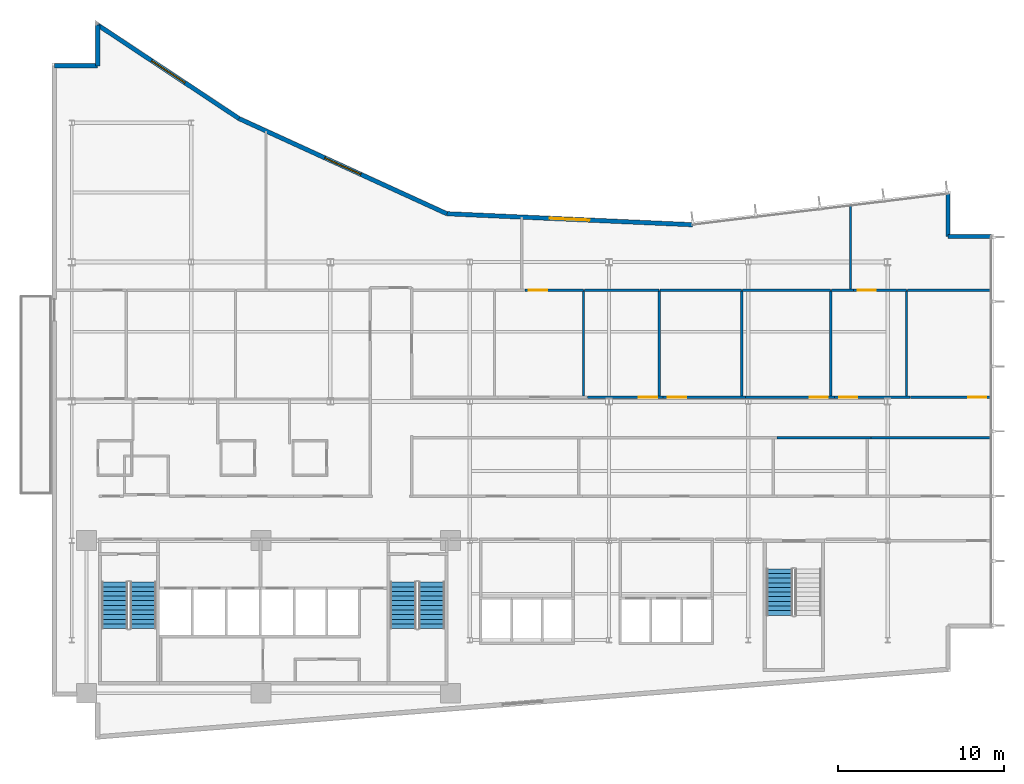
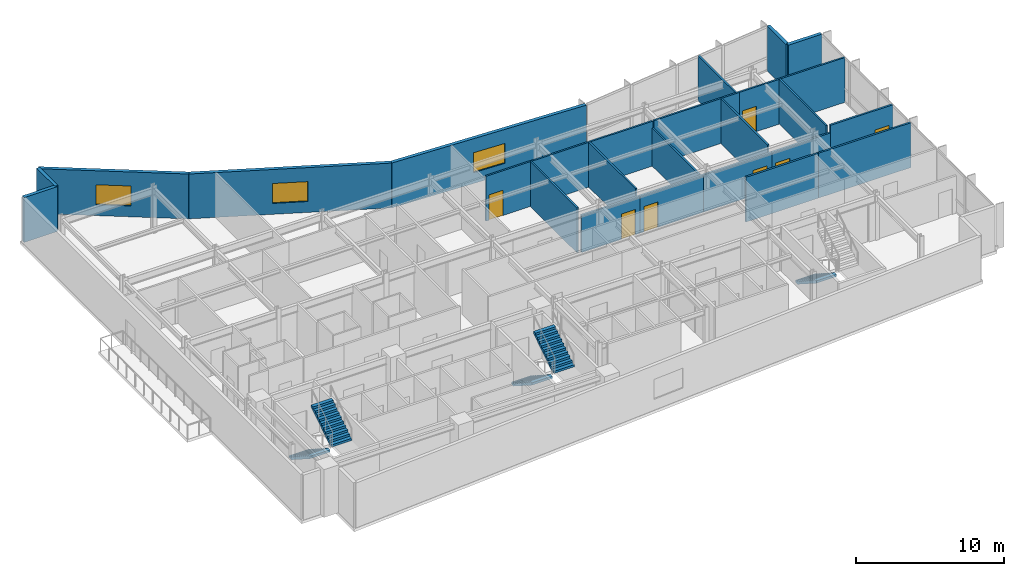
# One storey, part 13 of 18: 27 walls, 7 doors, 5 stair flights, 3 windows, 10 openings, 3 elements without a shape of their own.
"""IFC4 building model written with IfcOpenShell, lengths in metres."""

from ifc_helpers import new_model, si_unit, direction, frame, frame_2d, origin, place, context, subcontext, project, spatial, polyline, rectangle, outline, extrude, material, layer, layer_set, type_object, element, fill, aggregate, save


model = new_model("IFC4")

# Units and contexts
model_context = context("Model", 3, precision=1e-05, world=origin(), true_north=direction((0.0, 1.0)))
body_context = subcontext(model_context, "Body", "Model", "MODEL_VIEW")
ifc_project = project(units=[si_unit("LENGTHUNIT", "METRE"), si_unit("AREAUNIT", "SQUARE_METRE"), si_unit("VOLUMEUNIT", "CUBIC_METRE"), si_unit("PLANEANGLEUNIT", "RADIAN"), si_unit("MASSUNIT", "GRAM", prefix="KILO")], contexts=[model_context])

# Site, building, storey
site_placement = place(None, origin())
site = spatial("IfcSite", under=ifc_project, at=site_placement, CompositionType="ELEMENT")
building_placement = place(site_placement, origin())
building = spatial("IfcBuilding", under=site, at=building_placement, Name="Varnakote Quay Hospital", CompositionType="ELEMENT")
storey_placement = place(building_placement, frame((0.0, 0.0, 107.300048828125)))
storey = spatial("IfcBuildingStorey", under=building, at=storey_placement, Name="L26", CompositionType="ELEMENT", Elevation=107.300048828125)

# Walls
ifc_material_1 = material(Name="Precast concrete N50 (f'c 50 MPa)", Category="concrete")
ifc_layer_1 = layer(ifc_material_1, 0.260009765625)
ifc_layer_set_1 = layer_set([ifc_layer_1], Name="Precast concrete N50 (f'c 50 MPa)")
wall_type_1 = type_object("IfcWallType", Name="WL-EXT-BRICK-260", PredefinedType="STANDARD", material=ifc_layer_set_1)
wall_1_placement = place(storey_placement, frame((56.639892578125, 30.340087890625, 0.0), z_axis=(0.0, 0.0, 1.0), x_axis=(-1.0, 0.0, 0.0)))
element("IfcWall", 1, at=wall_1_placement, inside=storey, type_object=wall_type_1, Name="L26 Brick-Faced Precast Exterior Wall", PredefinedType="STANDARD", context=body_context, shape_type="SweptSolid", body=[
    extrude(rectangle(XDim=2.599853515625, YDim=0.260009765625, at=frame_2d((1.2998046875, 0.0))), origin(), (0.0, 0.0, 1.0), 3.7099609375),
])
wall_2_placement = place(storey_placement, frame((54.0400390625, 30.340087890625, 0.0), z_axis=(0.0, 0.0, 1.0), x_axis=(0.0, 1.0, 0.0)))
element("IfcWall", 2, at=wall_2_placement, inside=storey, type_object=wall_type_1, Name="L26 Brick-Faced Precast Exterior Wall", PredefinedType="STANDARD", context=body_context, shape_type="SweptSolid", body=[
    extrude(rectangle(XDim=2.579345703125, YDim=0.260009765625, at=frame_2d((1.28955078125, 0.0))), origin(), (0.0, 0.0, 1.0), 3.7099609375),
])

# Wall, opening, window
wall_3_placement = place(storey_placement, frame((38.630126953125, 31.051513671875, 0.0), z_axis=(0.0, 0.0, 1.0), x_axis=(-0.998996592956, 0.044786239663, 0.0)))
wall_3 = element("IfcWall", 3, at=wall_3_placement, inside=storey, type_object=wall_type_1, Name="L26 Brick-Faced Precast Exterior Wall", PredefinedType="STANDARD", context=body_context, shape_type="SweptSolid", body=[
    extrude(rectangle(XDim=14.827392578125, YDim=0.260009765625, at=frame_2d((7.41357421875, 0.0))), origin(), (0.0, 0.0, 1.0), 3.7099609375),
])
opening_1_placement = place(wall_3_placement, frame((6.213623046875, 0.0, 0.89990234375)))
opening_1 = element("IfcOpeningElement", 4, at=opening_1_placement, cuts=wall_3, Name="Opening WN-0115", PredefinedType="OPENING", context=body_context, shape_type="SweptSolid", body=[
    extrude(rectangle(XDim=2.39990234375, YDim=1.64990234375, at=frame_2d((1.199951171875, 0.824951171875))), frame((0.0, 0.139892578125, 0.0), z_axis=(0.0, -1.0, 0.0), x_axis=(1.0, 0.0, 0.0)), (0.0, 0.0, 1.0), 0.280029296875),
])
ifc_material_2 = material(Name="Double-glazed low-E solar glass", Category="glass")
window_type = type_object("IfcWindowType", Name="WIN-CLIN-2400x1650", PartitioningType="SINGLE_PANEL", PredefinedType="WINDOW", material=ifc_material_2)
window_1_placement = place(opening_1_placement, origin())
window_1 = element("IfcWindow", 5, at=window_1_placement, inside=storey, type_object=window_type, Name="L26 Solar-Control Clinical Window", OverallHeight=1.64990234375, OverallWidth=2.39990234375, PartitioningType="SINGLE_PANEL", PredefinedType="WINDOW", context=body_context, shape_type="SweptSolid", body=[
    extrude(rectangle(XDim=2.39990234375, YDim=1.64990234375, at=frame_2d((1.199951171875, 0.824951171875))), frame((0.0, 0.030029296875, 0.0), z_axis=(0.0, -1.0, 0.0), x_axis=(1.0, 0.0, 0.0)), (0.0, 0.0, 1.0), 0.06005859375),
])
fill(opening_1, window_1)

wall_4_placement = place(storey_placement, frame((23.817626953125, 31.715576171875, 0.0), z_axis=(0.0, 0.0, 1.0), x_axis=(-0.909209527513, 0.416338846471, 0.0)))
wall_4 = element("IfcWall", 6, at=wall_4_placement, inside=storey, type_object=wall_type_1, Name="L26 Brick-Faced Precast Exterior Wall", PredefinedType="STANDARD", context=body_context, shape_type="SweptSolid", body=[
    extrude(rectangle(XDim=13.787353515625, YDim=0.260009765625, at=frame_2d((6.8935546875, 0.0))), origin(), (0.0, 0.0, 1.0), 3.7099609375),
])
opening_2_placement = place(wall_4_placement, frame((5.693603515625, 0.0, 0.89990234375)))
opening_2 = element("IfcOpeningElement", 7, at=opening_2_placement, cuts=wall_4, Name="Opening WN-0116", PredefinedType="OPENING", context=body_context, shape_type="SweptSolid", body=[
    extrude(rectangle(XDim=2.39990234375, YDim=1.64990234375, at=frame_2d((1.199951171875, 0.824951171875))), frame((0.0, 0.139892578125, 0.0), z_axis=(0.0, -1.0, 0.0), x_axis=(1.0, 0.0, 0.0)), (0.0, 0.0, 1.0), 0.280029296875),
])
window_2_placement = place(opening_2_placement, origin())
window_2 = element("IfcWindow", 8, at=window_2_placement, inside=storey, type_object=window_type, Name="L26 Solar-Control Clinical Window", OverallHeight=1.64990234375, OverallWidth=2.39990234375, PartitioningType="SINGLE_PANEL", PredefinedType="WINDOW", context=body_context, shape_type="SweptSolid", body=[
    extrude(rectangle(XDim=2.39990234375, YDim=1.64990234375, at=frame_2d((1.199951171875, 0.824951171875))), frame((0.0, 0.030029296875, 0.0), z_axis=(0.0, -1.0, 0.0), x_axis=(1.0, 0.0, 0.0)), (0.0, 0.0, 1.0), 0.06005859375),
])
fill(opening_2, window_2)

wall_5_placement = place(storey_placement, frame((11.281982421875, 37.455810546875, 0.0), z_axis=(0.0, 0.0, 1.0), x_axis=(-0.833630474253, 0.552322580017, 0.0)))
wall_5 = element("IfcWall", 9, at=wall_5_placement, inside=storey, type_object=wall_type_1, Name="L26 Brick-Faced Precast Exterior Wall", PredefinedType="STANDARD", context=body_context, shape_type="SweptSolid", body=[
    extrude(rectangle(XDim=10.22265625, YDim=0.260009765625, at=frame_2d((5.111328125, 0.0))), origin(), (0.0, 0.0, 1.0), 3.7099609375),
])
opening_3_placement = place(wall_5_placement, frame((3.911376953125, 0.0, 0.89990234375)))
opening_3 = element("IfcOpeningElement", 10, at=opening_3_placement, cuts=wall_5, Name="Opening WN-0117", PredefinedType="OPENING", context=body_context, shape_type="SweptSolid", body=[
    extrude(rectangle(XDim=2.39990234375, YDim=1.64990234375, at=frame_2d((1.199951171875, 0.824951171875))), frame((0.0, 0.139892578125, 0.0), z_axis=(0.0, -1.0, 0.0), x_axis=(1.0, 0.0, 0.0)), (0.0, 0.0, 1.0), 0.280029296875),
])
window_3_placement = place(opening_3_placement, origin())
window_3 = element("IfcWindow", 11, at=window_3_placement, inside=storey, type_object=window_type, Name="L26 Solar-Control Clinical Window", OverallHeight=1.64990234375, OverallWidth=2.39990234375, PartitioningType="SINGLE_PANEL", PredefinedType="WINDOW", context=body_context, shape_type="SweptSolid", body=[
    extrude(rectangle(XDim=2.39990234375, YDim=1.64990234375, at=frame_2d((1.199951171875, 0.824951171875))), frame((0.0, 0.030029296875, 0.0), z_axis=(0.0, -1.0, 0.0), x_axis=(1.0, 0.0, 0.0)), (0.0, 0.0, 1.0), 0.06005859375),
])
fill(opening_3, window_3)

# Walls
wall_6_placement = place(storey_placement, frame((2.760009765625, 43.10205078125, 0.0), z_axis=(0.0, 0.0, 1.0), x_axis=(0.0, -1.0, 0.0)))
element("IfcWall", 12, at=wall_6_placement, inside=storey, type_object=wall_type_1, Name="L26 Brick-Faced Precast Exterior Wall", PredefinedType="STANDARD", context=body_context, shape_type="SweptSolid", body=[
    extrude(rectangle(XDim=2.462158203125, YDim=0.260009765625, at=frame_2d((1.23095703125, 0.0))), origin(), (0.0, 0.0, 1.0), 3.7099609375),
])
wall_7_placement = place(storey_placement, frame((2.760009765625, 40.639892578125, 0.0), z_axis=(0.0, 0.0, 1.0), x_axis=(-1.0, 0.0, 0.0)))
element("IfcWall", 13, at=wall_7_placement, inside=storey, type_object=wall_type_1, Name="L26 Brick-Faced Precast Exterior Wall", PredefinedType="STANDARD", context=body_context, shape_type="SweptSolid", body=[
    extrude(rectangle(XDim=2.60009765625, YDim=0.260009765625, at=frame_2d((1.300048828125, 0.0))), origin(), (0.0, 0.0, 1.0), 3.7099609375),
])
ifc_material_3 = material(Name="Smoke-proof clinical partition", Category="gypsum")
ifc_layer_2 = layer(ifc_material_3, 0.135009765625)
ifc_layer_set_2 = layer_set([ifc_layer_2], Name="Smoke-proof clinical partition")
wall_type_2 = type_object("IfcWallType", Name="WL-SMOKE-135", PredefinedType="PARTITIONING", material=ifc_layer_set_2)
wall_8_placement = place(storey_placement, frame((32.06005859375, 20.715087890625, 0.0), z_axis=(0.0, 0.0, 1.0), x_axis=(0.0, 1.0, 0.0)))
element("IfcWall", 14, at=wall_8_placement, inside=storey, type_object=wall_type_2, Name="L26 Clinical Interior Partition", PredefinedType="PARTITIONING", context=body_context, shape_type="SweptSolid", body=[
    extrude(rectangle(XDim=6.385009765625, YDim=0.135009765625, at=frame_2d((3.1923828125, 0.0))), origin(), (0.0, 0.0, 1.0), 3.7099609375),
])

# Wall, opening, door
wall_9_placement = place(storey_placement, frame((32.06005859375, 27.10009765625, 0.0), z_axis=(0.0, 0.0, 1.0), x_axis=(-1.0, 0.0, 0.0)))
wall_9 = element("IfcWall", 15, at=wall_9_placement, inside=storey, type_object=wall_type_2, Name="L26 Clinical Interior Partition", PredefinedType="PARTITIONING", context=body_context, shape_type="SweptSolid", body=[
    extrude(rectangle(XDim=3.53955078125, YDim=0.135009765625, at=frame_2d((1.769775390625, 0.0))), origin(), (0.0, 0.0, 1.0), 3.7099609375),
])
opening_4_placement = place(wall_9_placement, frame((2.1884765625, 0.0, 0.0)))
opening_4 = element("IfcOpeningElement", 16, at=opening_4_placement, cuts=wall_9, Name="Opening D-L26-MD17", PredefinedType="OPENING", context=body_context, shape_type="SweptSolid", body=[
    extrude(rectangle(XDim=1.10009765625, YDim=2.10009765625, at=frame_2d((0.550048828125, 1.050048828125))), frame((0.0, 0.077392578125, 0.0), z_axis=(0.0, -1.0, 0.0), x_axis=(1.0, 0.0, 0.0)), (0.0, 0.0, 1.0), 0.155029296875),
])
ifc_material_4 = material(Name="Acoustic timber clinical consult door", Category="wood")
door_type = type_object("IfcDoorType", Name="DR-CLIN-FD30S-1100x2100", OperationType="NOTDEFINED", PredefinedType="DOOR", material=ifc_material_4)
door_1_placement = place(opening_4_placement, origin())
door_1 = element("IfcDoor", 17, at=door_1_placement, inside=storey, type_object=door_type, Name="L26 Paediatric Clinical Teaching Room Door", OperationType="SINGLE_SWING_RIGHT", OverallHeight=2.10009765625, OverallWidth=1.10009765625, PredefinedType="DOOR", context=body_context, shape_type="SweptSolid", body=[
    extrude(rectangle(XDim=1.10009765625, YDim=2.10009765625, at=frame_2d((0.550048828125, 1.050048828125))), frame((0.0, 0.02490234375, 0.0), z_axis=(0.0, -1.0, 0.0), x_axis=(1.0, 0.0, 0.0)), (0.0, 0.0, 1.0), 0.050048828125),
])
fill(opening_4, door_1)

# Walls
wall_10_placement = place(storey_placement, frame((36.6298828125, 20.715087890625, 0.0), z_axis=(0.0, 0.0, 1.0), x_axis=(0.0, 1.0, 0.0)))
element("IfcWall", 18, at=wall_10_placement, inside=storey, type_object=wall_type_2, Name="L26 Clinical Interior Partition", PredefinedType="PARTITIONING", context=body_context, shape_type="SweptSolid", body=[
    extrude(rectangle(XDim=6.385009765625, YDim=0.135009765625, at=frame_2d((3.1923828125, 0.0))), origin(), (0.0, 0.0, 1.0), 3.7099609375),
])
wall_11_placement = place(storey_placement, frame((36.6298828125, 27.10009765625, 0.0), z_axis=(0.0, 0.0, 1.0), x_axis=(-1.0, 0.0, 0.0)))
element("IfcWall", 19, at=wall_11_placement, inside=storey, type_object=wall_type_2, Name="L26 Clinical Interior Partition", PredefinedType="PARTITIONING", context=body_context, shape_type="SweptSolid", body=[
    extrude(rectangle(XDim=4.512451171875, YDim=0.135009765625, at=frame_2d((2.25634765625, 0.0))), origin(), (0.0, 0.0, 1.0), 3.7099609375),
])
wall_12_placement = place(storey_placement, frame((41.60009765625, 20.715087890625, 0.0), z_axis=(0.0, 0.0, 1.0), x_axis=(0.0, 1.0, 0.0)))
element("IfcWall", 20, at=wall_12_placement, inside=storey, type_object=wall_type_2, Name="L26 Clinical Interior Partition", PredefinedType="PARTITIONING", context=body_context, shape_type="SweptSolid", body=[
    extrude(rectangle(XDim=6.385009765625, YDim=0.135009765625, at=frame_2d((3.1923828125, 0.0))), origin(), (0.0, 0.0, 1.0), 3.15185546875),
])
wall_13_placement = place(storey_placement, frame((41.60009765625, 27.10009765625, 0.0), z_axis=(0.0, 0.0, 1.0), x_axis=(-1.0, 0.0, 0.0)))
element("IfcWall", 21, at=wall_13_placement, inside=storey, type_object=wall_type_2, Name="L26 Clinical Interior Partition", PredefinedType="PARTITIONING", context=body_context, shape_type="SweptSolid", body=[
    extrude(rectangle(XDim=4.91259765625, YDim=0.135009765625, at=frame_2d((2.456298828125, 0.0))), origin(), (0.0, 0.0, 1.0), 3.7099609375),
])
wall_14_placement = place(storey_placement, frame((46.969970703125, 20.715087890625, 0.0), z_axis=(0.0, 0.0, 1.0), x_axis=(0.0, 1.0, 0.0)))
element("IfcWall", 22, at=wall_14_placement, inside=storey, type_object=wall_type_2, Name="L26 Clinical Interior Partition", PredefinedType="PARTITIONING", context=body_context, shape_type="SweptSolid", body=[
    extrude(rectangle(XDim=6.385009765625, YDim=0.135009765625, at=frame_2d((3.1923828125, 0.0))), origin(), (0.0, 0.0, 1.0), 3.7099609375),
])
wall_15_placement = place(storey_placement, frame((46.969970703125, 27.10009765625, 0.0), z_axis=(0.0, 0.0, 1.0), x_axis=(-1.0, 0.0, 0.0)))
element("IfcWall", 23, at=wall_15_placement, inside=storey, type_object=wall_type_2, Name="L26 Clinical Interior Partition", PredefinedType="PARTITIONING", context=body_context, shape_type="SweptSolid", body=[
    extrude(rectangle(XDim=5.3125, YDim=0.135009765625, at=frame_2d((2.65625, 0.0))), origin(), (0.0, 0.0, 1.0), 3.7099609375),
])
wall_16_placement = place(storey_placement, frame((51.5400390625, 20.715087890625, 0.0), z_axis=(0.0, 0.0, 1.0), x_axis=(0.0, 1.0, 0.0)))
element("IfcWall", 24, at=wall_16_placement, inside=storey, type_object=wall_type_2, Name="L26 Clinical Interior Partition", PredefinedType="PARTITIONING", context=body_context, shape_type="SweptSolid", body=[
    extrude(rectangle(XDim=6.385009765625, YDim=0.135009765625, at=frame_2d((3.1923828125, 0.0))), origin(), (0.0, 0.0, 1.0), 3.7099609375),
])
wall_17_placement = place(storey_placement, frame((48.348388671875, 27.10009765625, 0.0), z_axis=(0.0, 0.0, 1.0), x_axis=(-1.0, 0.0, 0.0)))
element("IfcWall", 25, at=wall_17_placement, inside=storey, type_object=wall_type_2, Name="L26 Clinical Interior Partition", PredefinedType="PARTITIONING", context=body_context, shape_type="SweptSolid", body=[
    extrude(rectangle(XDim=1.32080078125, YDim=0.135009765625, at=frame_2d((0.660400390625, 0.0))), origin(), (0.0, 0.0, 1.0), 3.7099609375),
])

# Wall, opening, door
wall_18_placement = place(storey_placement, frame((51.5400390625, 27.10009765625, 0.0), z_axis=(0.0, 0.0, 1.0), x_axis=(-1.0, 0.0, 0.0)))
wall_18 = element("IfcWall", 26, at=wall_18_placement, inside=storey, type_object=wall_type_2, Name="L26 Clinical Interior Partition", PredefinedType="PARTITIONING", context=body_context, shape_type="SweptSolid", body=[
    extrude(rectangle(XDim=3.189453125, YDim=0.135009765625, at=frame_2d((1.5947265625, 0.0))), origin(), (0.0, 0.0, 1.0), 3.7099609375),
])
opening_5_placement = place(wall_18_placement, frame((1.847412109375, 0.0, 0.0)))
opening_5 = element("IfcOpeningElement", 27, at=opening_5_placement, cuts=wall_18, Name="Opening D-L26-MD18", PredefinedType="OPENING", context=body_context, shape_type="SweptSolid", body=[
    extrude(rectangle(XDim=1.10009765625, YDim=2.10009765625, at=frame_2d((0.550048828125, 1.050048828125))), frame((0.0, 0.077392578125, 0.0), z_axis=(0.0, -1.0, 0.0), x_axis=(1.0, 0.0, 0.0)), (0.0, 0.0, 1.0), 0.155029296875),
])
door_2_placement = place(opening_5_placement, origin())
door_2 = element("IfcDoor", 28, at=door_2_placement, inside=storey, type_object=door_type, Name="L26 Maternity Assessment Treatment Suite Door", OperationType="SINGLE_SWING_LEFT", OverallHeight=2.10009765625, OverallWidth=1.10009765625, PredefinedType="DOOR", context=body_context, shape_type="SweptSolid", body=[
    extrude(rectangle(XDim=1.10009765625, YDim=2.10009765625, at=frame_2d((0.550048828125, 1.050048828125))), frame((0.0, 0.02490234375, 0.0), z_axis=(0.0, -1.0, 0.0), x_axis=(1.0, 0.0, 0.0)), (0.0, 0.0, 1.0), 0.050048828125),
])
fill(opening_5, door_2)

# Walls
wall_19_placement = place(storey_placement, frame((56.639892578125, 27.10009765625, 0.0), z_axis=(0.0, 0.0, 1.0), x_axis=(-1.0, 0.0, 0.0)))
element("IfcWall", 29, at=wall_19_placement, inside=storey, type_object=wall_type_2, Name="L26 Clinical Interior Partition", PredefinedType="PARTITIONING", context=body_context, shape_type="SweptSolid", body=[
    extrude(rectangle(XDim=5.04248046875, YDim=0.135009765625, at=frame_2d((2.521240234375, 0.0))), origin(), (0.0, 0.0, 1.0), 3.7099609375),
])
wall_20_placement = place(storey_placement, frame((48.169921875, 27.157470703125, 0.0), z_axis=(0.0, 0.0, 1.0), x_axis=(0.0, 1.0, 0.0)))
element("IfcWall", 30, at=wall_20_placement, inside=storey, type_object=wall_type_2, Name="L26 Clinical Interior Partition", PredefinedType="PARTITIONING", context=body_context, shape_type="SweptSolid", body=[
    extrude(rectangle(XDim=5.050537109375, YDim=0.135009765625, at=frame_2d((2.525390625, 0.0))), origin(), (0.0, 0.0, 1.0), 3.7099609375),
])
ifc_material_5 = material(Name="Fire-rated clinical gypsum partition", Category="gypsum")
ifc_layer_3 = layer(ifc_material_5, 0.14990234375)
ifc_layer_set_3 = layer_set([ifc_layer_3], Name="Fire-rated clinical gypsum partition")
wall_type_3 = type_object("IfcWallType", Name="WL-WARD-150", PredefinedType="PARTITIONING", material=ifc_layer_set_3)
wall_21_placement = place(storey_placement, frame((43.72802734375, 18.199951171875, 0.0), z_axis=(0.0, 0.0, 1.0), x_axis=(1.0, 0.0, 0.0)))
element("IfcWall", 31, at=wall_21_placement, inside=storey, type_object=wall_type_3, Name="L26 Clinical Interior Partition", PredefinedType="PARTITIONING", context=body_context, shape_type="SweptSolid", body=[
    extrude(rectangle(XDim=5.66796875, YDim=0.14990234375, at=frame_2d((2.833984375, 0.0))), origin(), (0.0, 0.0, 1.0), 3.7099609375),
])
wall_22_placement = place(storey_placement, frame((49.39794921875, 18.199951171875, 0.0), z_axis=(0.0, 0.0, 1.0), x_axis=(1.0, 0.0, 0.0)))
element("IfcWall", 32, at=wall_22_placement, inside=storey, type_object=wall_type_3, Name="L26 Clinical Interior Partition", PredefinedType="PARTITIONING", context=body_context, shape_type="SweptSolid", body=[
    extrude(rectangle(XDim=7.241943359375, YDim=0.14990234375, at=frame_2d((3.62109375, 0.0))), origin(), (0.0, 0.0, 1.0), 3.7099609375),
])

# Wall, opening, door
wall_23_placement = place(storey_placement, frame((36.85595703125, 20.64990234375, 0.0), z_axis=(0.0, 0.0, 1.0), x_axis=(-1.0, 0.0, 0.0)))
wall_23 = element("IfcWall", 33, at=wall_23_placement, inside=storey, type_object=wall_type_3, Name="L26 Clinical Interior Partition", PredefinedType="PARTITIONING", context=body_context, shape_type="SweptSolid", body=[
    extrude(rectangle(XDim=4.56787109375, YDim=0.14990234375, at=frame_2d((2.283935546875, 0.0))), origin(), (0.0, 0.0, 1.0), 3.0830078125),
])
opening_6_placement = place(wall_23_placement, frame((0.353515625, 0.0, 0.0)))
opening_6 = element("IfcOpeningElement", 34, at=opening_6_placement, cuts=wall_23, Name="Opening D-L26-MD10", PredefinedType="OPENING", context=body_context, shape_type="SweptSolid", body=[
    extrude(rectangle(XDim=1.10009765625, YDim=2.10009765625, at=frame_2d((0.550048828125, 1.050048828125))), frame((0.0, 0.0849609375, 0.0), z_axis=(0.0, -1.0, 0.0), x_axis=(1.0, 0.0, 0.0)), (0.0, 0.0, 1.0), 0.169921875),
])
door_3_placement = place(opening_6_placement, origin())
door_3 = element("IfcDoor", 35, at=door_3_placement, inside=storey, type_object=door_type, Name="L26 Maternity Assessment Treatment Suite Door", OperationType="SINGLE_SWING_RIGHT", OverallHeight=2.10009765625, OverallWidth=1.10009765625, PredefinedType="DOOR", context=body_context, shape_type="SweptSolid", body=[
    extrude(rectangle(XDim=1.10009765625, YDim=2.10009765625, at=frame_2d((0.550048828125, 1.050048828125))), frame((0.0, 0.02490234375, 0.0), z_axis=(0.0, -1.0, 0.0), x_axis=(1.0, 0.0, 0.0)), (0.0, 0.0, 1.0), 0.050048828125),
])
fill(opening_6, door_3)

wall_24_placement = place(storey_placement, frame((41.825927734375, 20.64990234375, 0.0), z_axis=(0.0, 0.0, 1.0), x_axis=(-1.0, 0.0, 0.0)))
wall_24 = element("IfcWall", 36, at=wall_24_placement, inside=storey, type_object=wall_type_3, Name="L26 Clinical Interior Partition", PredefinedType="PARTITIONING", context=body_context, shape_type="SweptSolid", body=[
    extrude(rectangle(XDim=4.968017578125, YDim=0.14990234375, at=frame_2d((2.48388671875, 0.0))), origin(), (0.0, 0.0, 1.0), 3.0830078125),
])
opening_7_placement = place(wall_24_placement, frame((3.581298828125, 0.0, 0.0)))
opening_7 = element("IfcOpeningElement", 37, at=opening_7_placement, cuts=wall_24, Name="Opening D-L26-MD11", PredefinedType="OPENING", context=body_context, shape_type="SweptSolid", body=[
    extrude(rectangle(XDim=1.10009765625, YDim=2.10009765625, at=frame_2d((0.550048828125, 1.050048828125))), frame((0.0, 0.0849609375, 0.0), z_axis=(0.0, -1.0, 0.0), x_axis=(1.0, 0.0, 0.0)), (0.0, 0.0, 1.0), 0.169921875),
])
door_4_placement = place(opening_7_placement, origin())
door_4 = element("IfcDoor", 38, at=door_4_placement, inside=storey, type_object=door_type, Name="L26 Perinatal Clinical Consultation Suite Door", OperationType="SINGLE_SWING_LEFT", OverallHeight=2.10009765625, OverallWidth=1.10009765625, PredefinedType="DOOR", context=body_context, shape_type="SweptSolid", body=[
    extrude(rectangle(XDim=1.10009765625, YDim=2.10009765625, at=frame_2d((0.550048828125, 1.050048828125))), frame((0.0, 0.02490234375, 0.0), z_axis=(0.0, -1.0, 0.0), x_axis=(1.0, 0.0, 0.0)), (0.0, 0.0, 1.0), 0.050048828125),
])
fill(opening_7, door_4)

wall_25_placement = place(storey_placement, frame((47.196044921875, 20.64990234375, 0.0), z_axis=(0.0, 0.0, 1.0), x_axis=(-1.0, 0.0, 0.0)))
wall_25 = element("IfcWall", 39, at=wall_25_placement, inside=storey, type_object=wall_type_3, Name="L26 Clinical Interior Partition", PredefinedType="PARTITIONING", context=body_context, shape_type="SweptSolid", body=[
    extrude(rectangle(XDim=5.3681640625, YDim=0.14990234375, at=frame_2d((2.68408203125, 0.0))), origin(), (0.0, 0.0, 1.0), 3.0830078125),
])
opening_8_placement = place(wall_25_placement, frame((0.393310546875, 0.0, 0.0)))
opening_8 = element("IfcOpeningElement", 40, at=opening_8_placement, cuts=wall_25, Name="Opening D-L26-MD12", PredefinedType="OPENING", context=body_context, shape_type="SweptSolid", body=[
    extrude(rectangle(XDim=1.10009765625, YDim=2.10009765625, at=frame_2d((0.550048828125, 1.050048828125))), frame((0.0, 0.0849609375, 0.0), z_axis=(0.0, -1.0, 0.0), x_axis=(1.0, 0.0, 0.0)), (0.0, 0.0, 1.0), 0.169921875),
])
door_5_placement = place(opening_8_placement, origin())
door_5 = element("IfcDoor", 41, at=door_5_placement, inside=storey, type_object=door_type, Name="L26 Midwifery Coordination Office Door", OperationType="SINGLE_SWING_RIGHT", OverallHeight=2.10009765625, OverallWidth=1.10009765625, PredefinedType="DOOR", context=body_context, shape_type="SweptSolid", body=[
    extrude(rectangle(XDim=1.10009765625, YDim=2.10009765625, at=frame_2d((0.550048828125, 1.050048828125))), frame((0.0, 0.02490234375, 0.0), z_axis=(0.0, -1.0, 0.0), x_axis=(1.0, 0.0, 0.0)), (0.0, 0.0, 1.0), 0.050048828125),
])
fill(opening_8, door_5)

wall_26_placement = place(storey_placement, frame((51.76611328125, 20.64990234375, 0.0), z_axis=(0.0, 0.0, 1.0), x_axis=(-1.0, 0.0, 0.0)))
wall_26 = element("IfcWall", 42, at=wall_26_placement, inside=storey, type_object=wall_type_3, Name="L26 Clinical Interior Partition", PredefinedType="PARTITIONING", context=body_context, shape_type="SweptSolid", body=[
    extrude(rectangle(XDim=4.568115234375, YDim=0.14990234375, at=frame_2d((2.2841796875, 0.0))), origin(), (0.0, 0.0, 1.0), 3.0830078125),
])
opening_9_placement = place(wall_26_placement, frame((3.19140625, 0.0, 0.0)))
opening_9 = element("IfcOpeningElement", 43, at=opening_9_placement, cuts=wall_26, Name="Opening D-L26-MD13", PredefinedType="OPENING", context=body_context, shape_type="SweptSolid", body=[
    extrude(rectangle(XDim=1.10009765625, YDim=2.10009765625, at=frame_2d((0.550048828125, 1.050048828125))), frame((0.0, 0.0849609375, 0.0), z_axis=(0.0, -1.0, 0.0), x_axis=(1.0, 0.0, 0.0)), (0.0, 0.0, 1.0), 0.169921875),
])
door_6_placement = place(opening_9_placement, origin())
door_6 = element("IfcDoor", 44, at=door_6_placement, inside=storey, type_object=door_type, Name="L26 Paediatric Clinical Teaching Room Door", OperationType="SINGLE_SWING_LEFT", OverallHeight=2.10009765625, OverallWidth=1.10009765625, PredefinedType="DOOR", context=body_context, shape_type="SweptSolid", body=[
    extrude(rectangle(XDim=1.10009765625, YDim=2.10009765625, at=frame_2d((0.550048828125, 1.050048828125))), frame((0.0, 0.02490234375, 0.0), z_axis=(0.0, -1.0, 0.0), x_axis=(1.0, 0.0, 0.0)), (0.0, 0.0, 1.0), 0.050048828125),
])
fill(opening_9, door_6)

wall_27_placement = place(storey_placement, frame((56.639892578125, 20.64990234375, 0.0), z_axis=(0.0, 0.0, 1.0), x_axis=(-1.0, 0.0, 0.0)))
wall_27 = element("IfcWall", 45, at=wall_27_placement, inside=storey, type_object=wall_type_3, Name="L26 Clinical Interior Partition", PredefinedType="PARTITIONING", context=body_context, shape_type="SweptSolid", body=[
    extrude(rectangle(XDim=4.871826171875, YDim=0.14990234375, at=frame_2d((2.43603515625, 0.0))), origin(), (0.0, 0.0, 1.0), 3.7099609375),
])
opening_10_placement = place(wall_27_placement, frame((0.2841796875, 0.0, 0.0)))
opening_10 = element("IfcOpeningElement", 46, at=opening_10_placement, cuts=wall_27, Name="Opening D-L26-MD14", PredefinedType="OPENING", context=body_context, shape_type="SweptSolid", body=[
    extrude(rectangle(XDim=1.10009765625, YDim=2.10009765625, at=frame_2d((0.550048828125, 1.050048828125))), frame((0.0, 0.0849609375, 0.0), z_axis=(0.0, -1.0, 0.0), x_axis=(1.0, 0.0, 0.0)), (0.0, 0.0, 1.0), 0.169921875),
])
door_7_placement = place(opening_10_placement, origin())
door_7 = element("IfcDoor", 47, at=door_7_placement, inside=storey, type_object=door_type, Name="L26 Maternity Assessment Treatment Suite Door", OperationType="SINGLE_SWING_RIGHT", OverallHeight=2.10009765625, OverallWidth=1.10009765625, PredefinedType="DOOR", context=body_context, shape_type="SweptSolid", body=[
    extrude(rectangle(XDim=1.10009765625, YDim=2.10009765625, at=frame_2d((0.550048828125, 1.050048828125))), frame((0.0, 0.02490234375, 0.0), z_axis=(0.0, -1.0, 0.0), x_axis=(1.0, 0.0, 0.0)), (0.0, 0.0, 1.0), 0.050048828125),
])
fill(opening_10, door_7)

# Stair, stair flights
ifc_material_6 = material(Name="Concrete N40 (f'c 40 MPa)", Category="concrete")
stair_type = type_object("IfcStairType", Name="STR-CORE-1580", PredefinedType="HALF_TURN_STAIR", material=ifc_material_6)
stair_1_placement = place(storey_placement, origin())
stair_1 = element("IfcStair", 48, at=stair_1_placement, inside=storey, type_object=stair_type, Name="L26 Fire-Isolated Exit Stair ST-01", PredefinedType="HALF_TURN_STAIR")
ifc_material_7 = material(Name="Concrete N40 (f'c 40 MPa)", Category="concrete")
ifc_layer_4 = layer(ifc_material_7, 0.159912109375)
ifc_layer_set_4 = layer_set([ifc_layer_4], Name="Concrete N40 (f'c 40 MPa)")
stair_flight_type = type_object("IfcStairFlightType", Name="FLT-CORE-1580", PredefinedType="STRAIGHT", material=ifc_layer_set_4)
stair_flight_1_placement = place(storey_placement, frame((3.7900390625, 9.5, 0.0), z_axis=(0.0, 0.0, 1.0), x_axis=(0.0, -1.0, 0.0)))
stair_flight_1 = element("IfcStairFlight", 49, at=stair_flight_1_placement, type_object=stair_flight_type, Name="ST-01 flight 1", NumberOfRisers=11, NumberOfTreads=10, PredefinedType="STRAIGHT", RiserHeight=0.179545455, TreadLength=0.28, context=body_context, shape_type="SweptSolid", body=[
    extrude(outline(polyline([(0.0, 0.0), (0.0, 0.179443359375), (0.280029296875, 0.179443359375), (0.280029296875, 0.359130859375), (0.56005859375, 0.359130859375), (0.56005859375, 0.53857421875), (0.840087890625, 0.53857421875), (0.840087890625, 0.71826171875), (1.1201171875, 0.71826171875), (1.1201171875, 0.897705078125), (1.39990234375, 0.897705078125), (1.39990234375, 1.077392578125), (1.679931640625, 1.077392578125), (1.679931640625, 1.2568359375), (1.9599609375, 1.2568359375), (1.9599609375, 1.436279296875), (2.239990234375, 1.436279296875), (2.239990234375, 1.615966796875), (2.52001953125, 1.615966796875), (2.52001953125, 1.79541015625), (2.800048828125, 1.79541015625), (2.800048828125, 1.97509765625), (2.800048828125, 1.60546875), (0.296142578125, 0.0), (0.0, 0.0)])), frame((0.0, 0.7900390625, 0.0), z_axis=(0.0, -1.0, 0.0), x_axis=(1.0, 0.0, 0.0)), (0.0, 0.0, 1.0), 1.580078125),
])
stair_flight_2_placement = place(storey_placement, frame((5.510009765625, 6.699951171875, 1.974853515625), z_axis=(0.0, 0.0, 1.0), x_axis=(0.0, 1.0, 0.0)))
stair_flight_2 = element("IfcStairFlight", 50, at=stair_flight_2_placement, type_object=stair_flight_type, Name="ST-01 flight 2", NumberOfRisers=11, NumberOfTreads=10, PredefinedType="STRAIGHT", RiserHeight=0.179545455, TreadLength=0.28, context=body_context, shape_type="SweptSolid", body=[
    extrude(outline(polyline([(0.0, 0.0), (0.0, 0.179443359375), (0.280029296875, 0.179443359375), (0.280029296875, 0.359130859375), (0.56005859375, 0.359130859375), (0.56005859375, 0.53857421875), (0.840087890625, 0.53857421875), (0.840087890625, 0.71826171875), (1.1201171875, 0.71826171875), (1.1201171875, 0.897705078125), (1.39990234375, 0.897705078125), (1.39990234375, 1.077392578125), (1.679931640625, 1.077392578125), (1.679931640625, 1.2568359375), (1.9599609375, 1.2568359375), (1.9599609375, 1.436279296875), (2.239990234375, 1.436279296875), (2.239990234375, 1.615966796875), (2.52001953125, 1.615966796875), (2.52001953125, 1.79541015625), (2.800048828125, 1.79541015625), (2.800048828125, 1.97509765625), (2.800048828125, 1.60546875), (0.296142578125, 0.0), (0.0, 0.0)])), frame((0.0, 0.7900390625, 0.0), z_axis=(0.0, -1.0, 0.0), x_axis=(1.0, 0.0, 0.0)), (0.0, 0.0, 1.0), 1.580078125),
])
aggregate(stair_1, [stair_flight_1, stair_flight_2])

stair_2_placement = place(storey_placement, origin())
stair_2 = element("IfcStair", 51, at=stair_2_placement, inside=storey, type_object=stair_type, Name="L26 Fire-Isolated Exit Stair ST-02", PredefinedType="HALF_TURN_STAIR")
stair_flight_3_placement = place(storey_placement, frame((21.18994140625, 9.5, 0.0), z_axis=(0.0, 0.0, 1.0), x_axis=(0.0, -1.0, 0.0)))
stair_flight_3 = element("IfcStairFlight", 52, at=stair_flight_3_placement, type_object=stair_flight_type, Name="ST-02 flight 1", NumberOfRisers=11, NumberOfTreads=10, PredefinedType="STRAIGHT", RiserHeight=0.179545455, TreadLength=0.28, context=body_context, shape_type="SweptSolid", body=[
    extrude(outline(polyline([(0.0, 0.0), (0.0, 0.179443359375), (0.280029296875, 0.179443359375), (0.280029296875, 0.359130859375), (0.56005859375, 0.359130859375), (0.56005859375, 0.53857421875), (0.840087890625, 0.53857421875), (0.840087890625, 0.71826171875), (1.1201171875, 0.71826171875), (1.1201171875, 0.897705078125), (1.39990234375, 0.897705078125), (1.39990234375, 1.077392578125), (1.679931640625, 1.077392578125), (1.679931640625, 1.2568359375), (1.9599609375, 1.2568359375), (1.9599609375, 1.436279296875), (2.239990234375, 1.436279296875), (2.239990234375, 1.615966796875), (2.52001953125, 1.615966796875), (2.52001953125, 1.79541015625), (2.800048828125, 1.79541015625), (2.800048828125, 1.97509765625), (2.800048828125, 1.60546875), (0.296142578125, 0.0), (0.0, 0.0)])), frame((0.0, 0.7900390625, 0.0), z_axis=(0.0, -1.0, 0.0), x_axis=(1.0, 0.0, 0.0)), (0.0, 0.0, 1.0), 1.580078125),
])
stair_flight_4_placement = place(storey_placement, frame((22.909912109375, 6.699951171875, 1.974853515625), z_axis=(0.0, 0.0, 1.0), x_axis=(0.0, 1.0, 0.0)))
stair_flight_4 = element("IfcStairFlight", 53, at=stair_flight_4_placement, type_object=stair_flight_type, Name="ST-02 flight 2", NumberOfRisers=11, NumberOfTreads=10, PredefinedType="STRAIGHT", RiserHeight=0.179545455, TreadLength=0.28, context=body_context, shape_type="SweptSolid", body=[
    extrude(outline(polyline([(0.0, 0.0), (0.0, 0.179443359375), (0.280029296875, 0.179443359375), (0.280029296875, 0.359130859375), (0.56005859375, 0.359130859375), (0.56005859375, 0.53857421875), (0.840087890625, 0.53857421875), (0.840087890625, 0.71826171875), (1.1201171875, 0.71826171875), (1.1201171875, 0.897705078125), (1.39990234375, 0.897705078125), (1.39990234375, 1.077392578125), (1.679931640625, 1.077392578125), (1.679931640625, 1.2568359375), (1.9599609375, 1.2568359375), (1.9599609375, 1.436279296875), (2.239990234375, 1.436279296875), (2.239990234375, 1.615966796875), (2.52001953125, 1.615966796875), (2.52001953125, 1.79541015625), (2.800048828125, 1.79541015625), (2.800048828125, 1.97509765625), (2.800048828125, 1.60546875), (0.296142578125, 0.0), (0.0, 0.0)])), frame((0.0, 0.7900390625, 0.0), z_axis=(0.0, -1.0, 0.0), x_axis=(1.0, 0.0, 0.0)), (0.0, 0.0, 1.0), 1.580078125),
])
aggregate(stair_2, [stair_flight_3, stair_flight_4])

# Stair, stair flight
stair_3_placement = place(storey_placement, origin())
stair_3 = element("IfcStair", 54, at=stair_3_placement, inside=storey, type_object=stair_type, Name="L26 Fire-Isolated Exit Stair ST-03", PredefinedType="HALF_TURN_STAIR")
stair_flight_5_placement = place(storey_placement, frame((43.889892578125, 10.300048828125, 0.0), z_axis=(0.0, 0.0, 1.0), x_axis=(0.0, -1.0, 0.0)))
stair_flight_5 = element("IfcStairFlight", 55, at=stair_flight_5_placement, type_object=stair_flight_type, Name="ST-03 flight 1", NumberOfRisers=11, NumberOfTreads=10, PredefinedType="STRAIGHT", RiserHeight=0.179545455, TreadLength=0.28, context=body_context, shape_type="SweptSolid", body=[
    extrude(outline(polyline([(0.0, 0.0), (0.0, 0.179443359375), (0.280029296875, 0.179443359375), (0.280029296875, 0.359130859375), (0.56005859375, 0.359130859375), (0.56005859375, 0.53857421875), (0.840087890625, 0.53857421875), (0.840087890625, 0.71826171875), (1.1201171875, 0.71826171875), (1.1201171875, 0.897705078125), (1.39990234375, 0.897705078125), (1.39990234375, 1.077392578125), (1.679931640625, 1.077392578125), (1.679931640625, 1.2568359375), (1.9599609375, 1.2568359375), (1.9599609375, 1.436279296875), (2.239990234375, 1.436279296875), (2.239990234375, 1.615966796875), (2.52001953125, 1.615966796875), (2.52001953125, 1.79541015625), (2.800048828125, 1.79541015625), (2.800048828125, 1.97509765625), (2.800048828125, 1.60546875), (0.296142578125, 0.0), (0.0, 0.0)])), frame((0.0, 0.7900390625, 0.0), z_axis=(0.0, -1.0, 0.0), x_axis=(1.0, 0.0, 0.0)), (0.0, 0.0, 1.0), 1.580078125),
])
aggregate(stair_3, [stair_flight_5])

save(model, "model.ifc")
